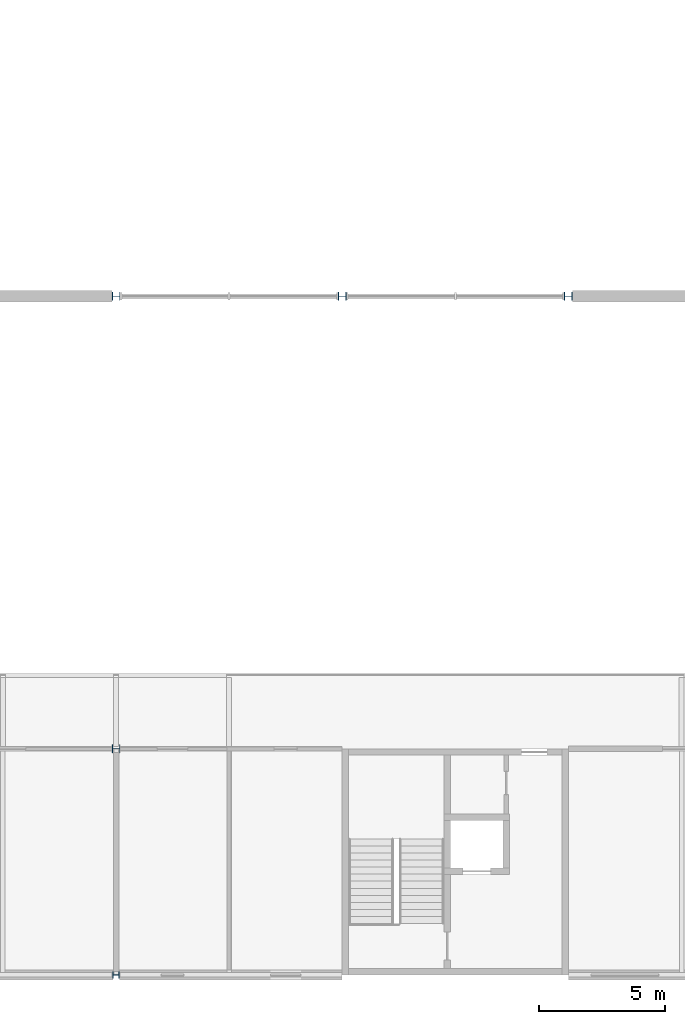
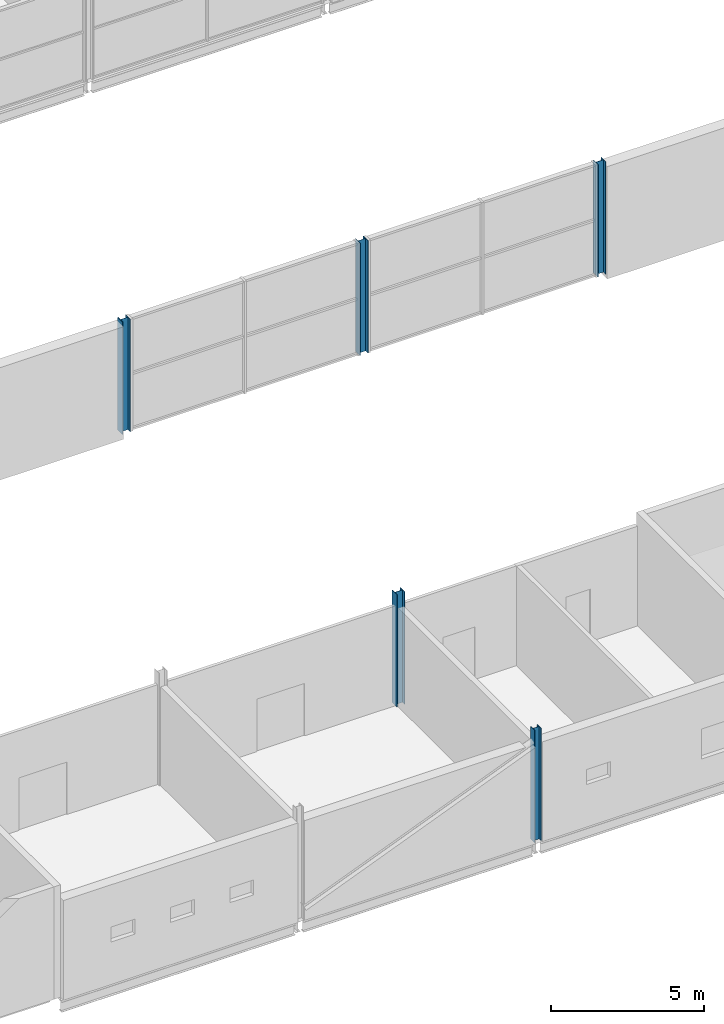
# One storey, part 7 of 97: 5 columns.
"""IFC4 building model written with IfcOpenShell, lengths in metres."""

from ifc_helpers import new_model, si_unit, direction, frame, origin, origin_2d, place, context, subcontext, project, spatial, i_section, extrude, material, material_profile, profile_set, type_object, element, save


model = new_model("IFC4")

# Units and contexts
model_context = context("Model", 3, precision=1e-05, world=origin(), true_north=direction((0.0, 1.0)))
body_context = subcontext(model_context, "Body", "Model", "MODEL_VIEW")
ifc_project = project(units=[si_unit("LENGTHUNIT", "METRE"), si_unit("AREAUNIT", "SQUARE_METRE"), si_unit("VOLUMEUNIT", "CUBIC_METRE"), si_unit("PLANEANGLEUNIT", "RADIAN"), si_unit("MASSUNIT", "GRAM", prefix="KILO")], contexts=[model_context])

# Site, building, storey
site_placement = place(None, origin())
site = spatial("IfcSite", under=ifc_project, at=site_placement, CompositionType="ELEMENT")
building_placement = place(site_placement, origin())
building = spatial("IfcBuilding", under=site, at=building_placement, Name="Corbel Yard City Hall", CompositionType="ELEMENT")
storey_placement = place(building_placement, frame((0.0, 0.0, 6.0)))
storey = spatial("IfcBuildingStorey", under=building, at=storey_placement, Name="L01", CompositionType="ELEMENT", Elevation=6.0)

# Columns
ifc_material = material(Name="Steel Grade 300 (300 MPa yield)", Category="steel")
ifc_material_profile_1 = material_profile(ifc_material, i_section(OverallWidth=0.256103515625, OverallDepth=0.260009765625, WebThickness=0.010498046875, FlangeThickness=0.017333984375, at=origin_2d()), Name="250UC89.5")
ifc_profile_set_1 = profile_set([ifc_material_profile_1], Name="Steel Grade 300 (300 MPa yield)")
column_type_1 = type_object("IfcColumnType", Name="Column 250UC89.5", PredefinedType="COLUMN", material=ifc_profile_set_1)
column_placement = place(storey_placement, frame((72.0, 0.0, 0.0), z_axis=(0.0, 0.0, 1.0), x_axis=(0.0, 1.0, 0.0)))
element("IfcColumn", 1, at=column_placement, inside=storey, type_object=column_type_1, Name="Column 250UC89.5 A/9 L01", PredefinedType="COLUMN", context=body_context, shape_type="SweptSolid", body=[
    extrude(i_section(OverallWidth=0.256103515625, OverallDepth=0.260009765625, WebThickness=0.010498046875, FlangeThickness=0.017333984375, at=origin_2d()), origin(), (0.0, 0.0, 1.0), 4.5),
])
ifc_material_profile_2 = material_profile(ifc_material, i_section(OverallWidth=0.306884765625, OverallDepth=0.31494140625, WebThickness=0.011962890625, FlangeThickness=0.018798828125, at=origin_2d()), Name="310UC118")
ifc_profile_set_2 = profile_set([ifc_material_profile_2], Name="Steel Grade 300 (300 MPa yield)")
column_type_2 = type_object("IfcColumnType", Name="Column 310UC118", PredefinedType="COLUMN", material=ifc_profile_set_2)
for number, where, z_axis, x_axis, name in (
    (2, (72.0, 9.0, 0.0), (0.0, 0.0, 1.0), (0.0, 1.0, 0.0), "Column 310UC118 B/9 L01"),
    (3, (72.0, 27.0, 0.0), (0.0, 0.0, 1.0), (0.0, 1.0, 0.0), "Column 310UC118 D/9 L01"),
    (4, (81.0, 27.0, 0.0), (0.0, 0.0, 1.0), (0.0, 1.0, 0.0), "Column 310UC118 D/10 L01"),
    (5, (90.0, 27.0, 0.0), (0.0, 0.0, 1.0), (0.0, 1.0, 0.0), "Column 310UC118 D/11 L01"),
):
    element("IfcColumn", number, at=place(storey_placement, frame(where, z_axis=z_axis, x_axis=x_axis)), inside=storey, type_object=column_type_2, Name=name, PredefinedType="COLUMN", context=body_context, shape_type="SweptSolid", body=[
        extrude(i_section(OverallWidth=0.306884765625, OverallDepth=0.31494140625, WebThickness=0.011962890625, FlangeThickness=0.018798828125, at=origin_2d()), origin(), (0.0, 0.0, 1.0), 4.5),
    ])

save(model, "model.ifc")
